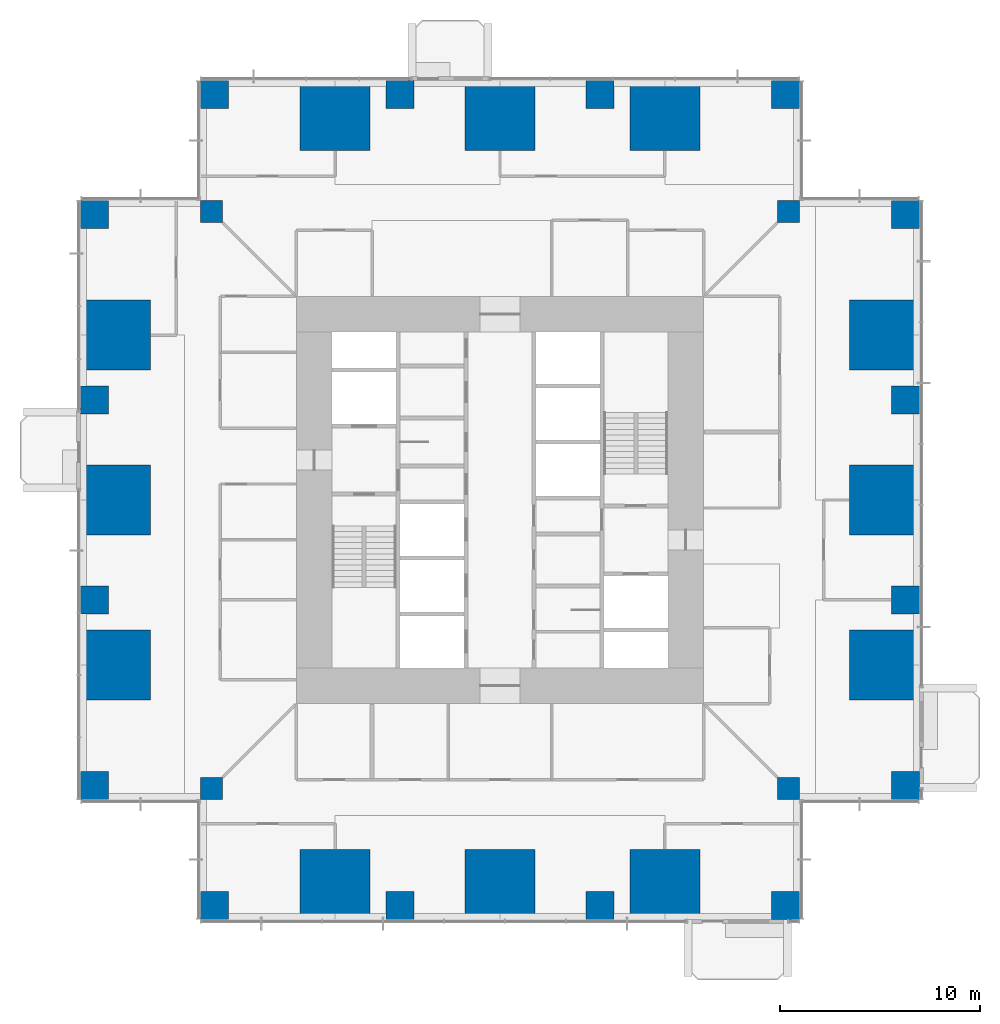
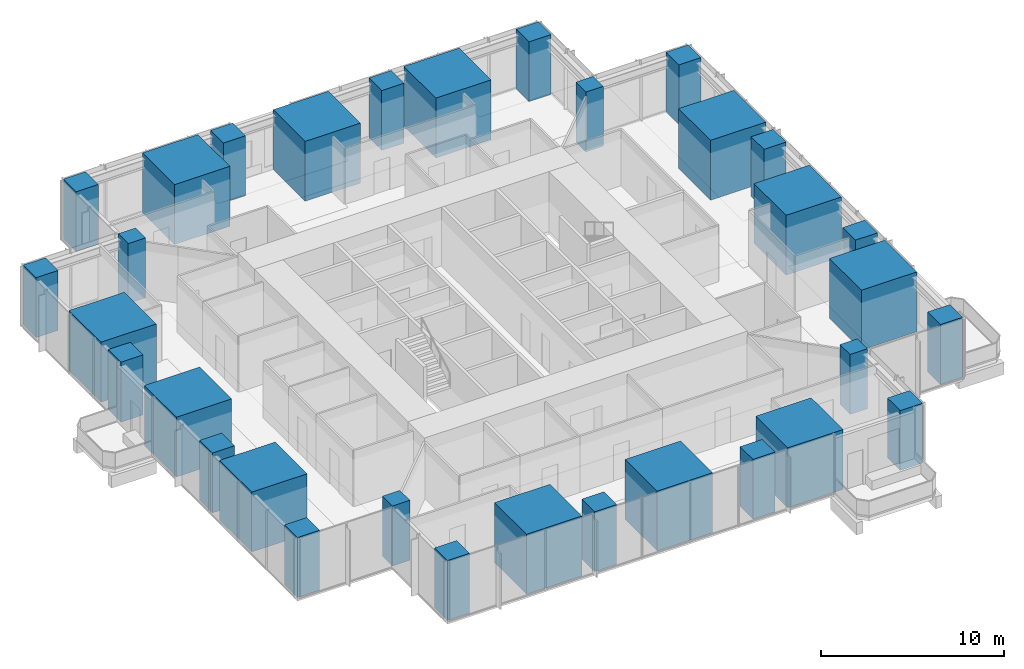
# One storey, part 1 of 15: 32 columns.
"""IFC4 building model written with IfcOpenShell, lengths in metres."""

from ifc_helpers import new_model, si_unit, direction, frame, origin, origin_2d, place, context, subcontext, project, spatial, rectangle, extrude, material, material_profile, profile_set, type_object, element, save


model = new_model("IFC4")

# Units and contexts
model_context = context("Model", 3, precision=1e-05, world=origin(), true_north=direction((0.0, 1.0)))
body_context = subcontext(model_context, "Body", "Model", "MODEL_VIEW")
ifc_project = project(units=[si_unit("LENGTHUNIT", "METRE"), si_unit("AREAUNIT", "SQUARE_METRE"), si_unit("VOLUMEUNIT", "CUBIC_METRE"), si_unit("PLANEANGLEUNIT", "RADIAN"), si_unit("MASSUNIT", "GRAM", prefix="KILO")], contexts=[model_context])

# Site, building, storey
site_placement = place(None, origin())
site = spatial("IfcSite", under=ifc_project, at=site_placement, CompositionType="ELEMENT")
building_placement = place(site_placement, origin())
building = spatial("IfcBuilding", under=site, at=building_placement, Name="Svetlomir Tower", CompositionType="ELEMENT")
storey_placement = place(building_placement, frame((0.0, 0.0, 74.5)))
storey = spatial("IfcBuildingStorey", under=building, at=storey_placement, Name="L17", CompositionType="ELEMENT", Elevation=74.5)

# Columns
ifc_material_1 = material(Name="Concrete C60/75", Category="concrete")
ifc_material_profile_1 = material_profile(ifc_material_1, rectangle(XDim=1.10009765625, YDim=1.10009765625, at=origin_2d()), Name="RC 1100x1100")
ifc_profile_set_1 = profile_set([ifc_material_profile_1], Name="Concrete C60/75")
column_type_1 = type_object("IfcColumnType", Name="COLUMN RC 1100x1100", PredefinedType="COLUMN", material=ifc_profile_set_1)
for number, where, z_axis, x_axis, name in (
    (1, (6.550048828125, 6.550048828125, 0.0), (0.0, 0.0, 1.0), (1.0, 0.0, 0.0), "Column 6/6 L17"),
    (2, (35.449951171875, 6.550048828125, 0.0), (0.0, 0.0, 1.0), (1.0, 0.0, 0.0), "Column 36/6 L17"),
    (3, (6.550048828125, 35.449951171875, 0.0), (0.0, 0.0, 1.0), (1.0, 0.0, 0.0), "Column 6/36 L17"),
    (4, (35.449951171875, 35.449951171875, 0.0), (0.0, 0.0, 1.0), (1.0, 0.0, 0.0), "Column 36/36 L17"),
):
    element("IfcColumn", number, at=place(storey_placement, frame(where, z_axis=z_axis, x_axis=x_axis)), inside=storey, type_object=column_type_1, Name=name, PredefinedType="COLUMN", context=body_context, shape_type="SweptSolid", body=[
        extrude(rectangle(XDim=1.10009765625, YDim=1.10009765625, at=origin_2d()), origin(), (0.0, 0.0, 1.0), 4.0),
    ])
ifc_material_2 = material(Name="Concrete C60/75", Category="concrete")
ifc_material_profile_2 = material_profile(ifc_material_2, rectangle(XDim=1.39990234375, YDim=1.39990234375, at=origin_2d()), Name="RC 1400x1400")
ifc_profile_set_2 = profile_set([ifc_material_profile_2], Name="Concrete C60/75")
column_type_2 = type_object("IfcColumnType", Name="COLUMN RC 1400x1400", PredefinedType="COLUMN", material=ifc_profile_set_2)
for number, where, z_axis, x_axis, name in (
    (5, (6.699951171875, 0.699951171875, 0.0), (0.0, 0.0, 1.0), (1.0, 0.0, 0.0), "Column 6/0 L17"),
    (6, (16.0, 0.699951171875, 0.0), (0.0, 0.0, 1.0), (1.0, 0.0, 0.0), "Column 16/0 L17"),
    (7, (26.0, 0.699951171875, 0.0), (0.0, 0.0, 1.0), (1.0, 0.0, 0.0), "Column 26/0 L17"),
    (8, (35.300048828125, 0.699951171875, 0.0), (0.0, 0.0, 1.0), (1.0, 0.0, 0.0), "Column 36/0 L17"),
    (9, (0.699951171875, 6.699951171875, 0.0), (0.0, 0.0, 1.0), (1.0, 0.0, 0.0), "Column 0/6 L17"),
    (10, (41.300048828125, 6.699951171875, 0.0), (0.0, 0.0, 1.0), (1.0, 0.0, 0.0), "Column 42/6 L17"),
    (11, (0.699951171875, 16.0, 0.0), (0.0, 0.0, 1.0), (1.0, 0.0, 0.0), "Column 0/16 L17"),
    (12, (41.300048828125, 16.0, 0.0), (0.0, 0.0, 1.0), (1.0, 0.0, 0.0), "Column 42/16 L17"),
    (13, (0.699951171875, 26.0, 0.0), (0.0, 0.0, 1.0), (1.0, 0.0, 0.0), "Column 0/26 L17"),
    (14, (41.300048828125, 26.0, 0.0), (0.0, 0.0, 1.0), (1.0, 0.0, 0.0), "Column 42/26 L17"),
    (15, (0.699951171875, 35.300048828125, 0.0), (0.0, 0.0, 1.0), (1.0, 0.0, 0.0), "Column 0/36 L17"),
    (16, (41.300048828125, 35.300048828125, 0.0), (0.0, 0.0, 1.0), (1.0, 0.0, 0.0), "Column 42/36 L17"),
    (17, (6.699951171875, 41.300048828125, 0.0), (0.0, 0.0, 1.0), (1.0, 0.0, 0.0), "Column 6/42 L17"),
    (18, (16.0, 41.300048828125, 0.0), (0.0, 0.0, 1.0), (1.0, 0.0, 0.0), "Column 16/42 L17"),
    (19, (26.0, 41.300048828125, 0.0), (0.0, 0.0, 1.0), (1.0, 0.0, 0.0), "Column 26/42 L17"),
    (20, (35.300048828125, 41.300048828125, 0.0), (0.0, 0.0, 1.0), (1.0, 0.0, 0.0), "Column 36/42 L17"),
):
    element("IfcColumn", number, at=place(storey_placement, frame(where, z_axis=z_axis, x_axis=x_axis)), inside=storey, type_object=column_type_2, Name=name, PredefinedType="COLUMN", context=body_context, shape_type="SweptSolid", body=[
        extrude(rectangle(XDim=1.39990234375, YDim=1.39990234375, at=origin_2d()), origin(), (0.0, 0.0, 1.0), 4.0),
    ])
ifc_material_3 = material(Name="Concrete C60/75", Category="concrete")
ifc_material_profile_3 = material_profile(ifc_material_3, rectangle(XDim=3.5, YDim=3.5, at=origin_2d()), Name="RC 3500x3500")
ifc_profile_set_3 = profile_set([ifc_material_profile_3], Name="Concrete C60/75")
column_type_3 = type_object("IfcColumnType", Name="COLUMN RC 3500x3500", PredefinedType="COLUMN", material=ifc_profile_set_3)
for number, where, z_axis, x_axis, name in (
    (21, (12.75, 1.75, 0.0), (0.0, 0.0, 1.0), (1.0, 0.0, 0.0), "Column 11/0 L17"),
    (22, (21.0, 1.75, 0.0), (0.0, 0.0, 1.0), (1.0, 0.0, 0.0), "Column 21/0 L17"),
    (23, (29.25, 1.75, 0.0), (0.0, 0.0, 1.0), (1.0, 0.0, 0.0), "Column 31/0 L17"),
    (24, (1.75, 12.75, 0.0), (0.0, 0.0, 1.0), (1.0, 0.0, 0.0), "Column 0/11 L17"),
    (25, (40.25, 12.75, 0.0), (0.0, 0.0, 1.0), (1.0, 0.0, 0.0), "Column 42/11 L17"),
    (26, (1.75, 21.0, 0.0), (0.0, 0.0, 1.0), (1.0, 0.0, 0.0), "Column 0/21 L17"),
    (27, (40.25, 21.0, 0.0), (0.0, 0.0, 1.0), (1.0, 0.0, 0.0), "Column 42/21 L17"),
    (28, (1.75, 29.25, 0.0), (0.0, 0.0, 1.0), (1.0, 0.0, 0.0), "Column 0/31 L17"),
    (29, (40.25, 29.25, 0.0), (0.0, 0.0, 1.0), (1.0, 0.0, 0.0), "Column 42/31 L17"),
    (30, (12.75, 40.25, 0.0), (0.0, 0.0, 1.0), (1.0, 0.0, 0.0), "Column 11/42 L17"),
    (31, (21.0, 40.25, 0.0), (0.0, 0.0, 1.0), (1.0, 0.0, 0.0), "Column 21/42 L17"),
    (32, (29.25, 40.25, 0.0), (0.0, 0.0, 1.0), (1.0, 0.0, 0.0), "Column 31/42 L17"),
):
    element("IfcColumn", number, at=place(storey_placement, frame(where, z_axis=z_axis, x_axis=x_axis)), inside=storey, type_object=column_type_3, Name=name, PredefinedType="COLUMN", context=body_context, shape_type="SweptSolid", body=[
        extrude(rectangle(XDim=3.5, YDim=3.5, at=origin_2d()), origin(), (0.0, 0.0, 1.0), 4.0),
    ])

save(model, "model.ifc")
